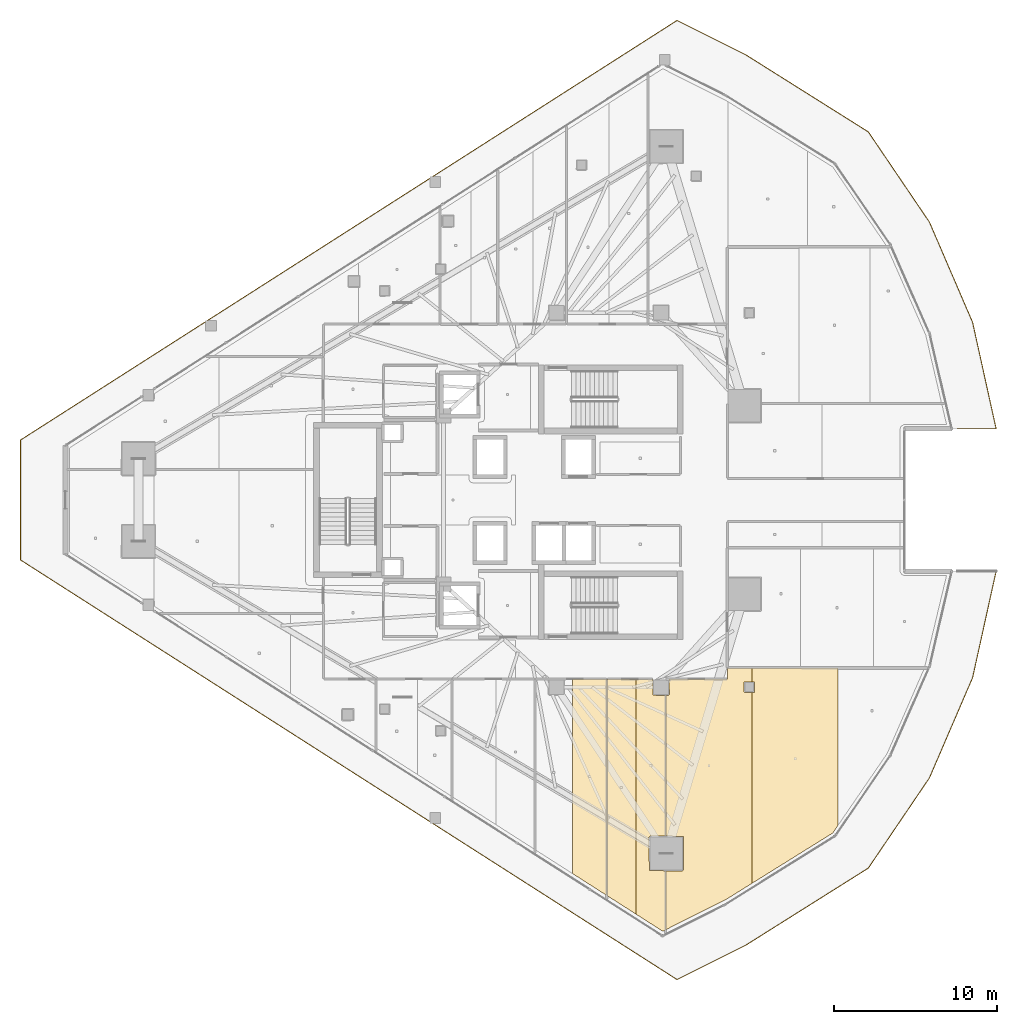
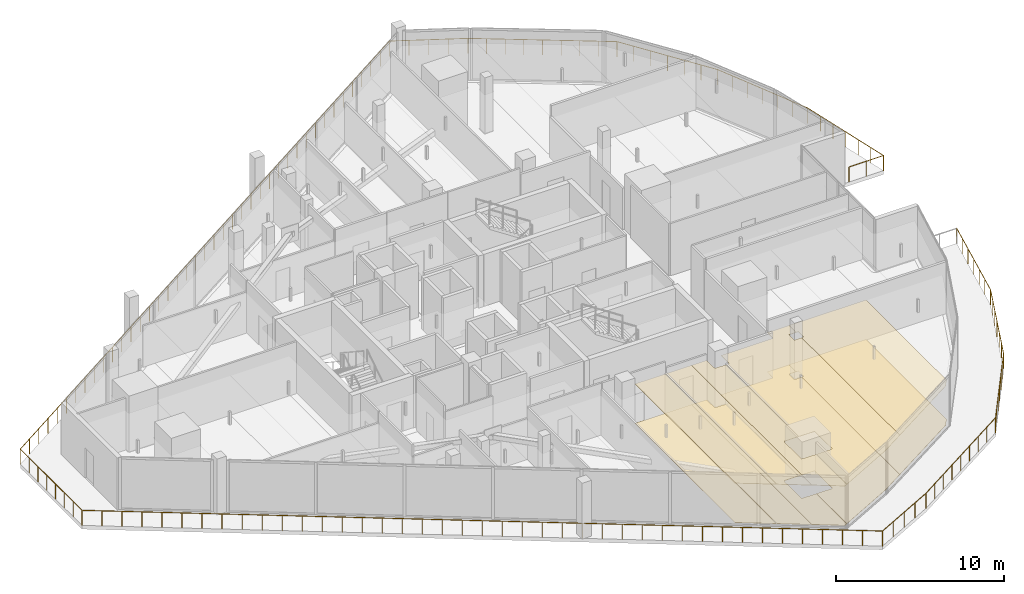
# One storey, part 39 of 43: 10 coverings, 1 railing.
"""IFC4 building model written with IfcOpenShell, lengths in metres."""

from ifc_helpers import new_model, si_unit, direction, frame, origin, origin_2d, place, context, subcontext, project, spatial, polyline, circle, outline, extrude, material, layer, layer_set, type_object, element, save


model = new_model("IFC4")

# Units and contexts
model_context = context("Model", 3, precision=1e-05, world=origin(), true_north=direction((0.0, 1.0)))
body_context = subcontext(model_context, "Body", "Model", "MODEL_VIEW")
ifc_project = project(units=[si_unit("LENGTHUNIT", "METRE"), si_unit("AREAUNIT", "SQUARE_METRE"), si_unit("VOLUMEUNIT", "CUBIC_METRE"), si_unit("PLANEANGLEUNIT", "RADIAN"), si_unit("MASSUNIT", "GRAM", prefix="KILO")], contexts=[model_context])

# Site, building, storey
site_placement = place(None, origin())
site = spatial("IfcSite", under=ifc_project, at=site_placement, CompositionType="ELEMENT")
building_placement = place(site_placement, origin())
building = spatial("IfcBuilding", under=site, at=building_placement, Name="Qorvath Tower", CompositionType="ELEMENT")
storey_placement = place(building_placement, frame((0.0, 0.0, 213.14990234375)))
storey = spatial("IfcBuildingStorey", under=building, at=storey_placement, Name="L49", CompositionType="ELEMENT", Elevation=213.14990234375)

# Coverings
ifc_material_1 = material(Name="Acoustic mineral fibre ceiling tile", Category="gypsum")
ifc_layer_1 = layer(ifc_material_1, 0.030029296875)
ifc_layer_set_1 = layer_set([ifc_layer_1], Name="COV-CEIL")
covering_type_1 = type_object("IfcCoveringType", Name="COV-CEIL", PredefinedType="CEILING", material=ifc_layer_set_1)
covering_1_placement = place(storey_placement, frame((0.0, 0.0, 2.85009765625)))
element("IfcCovering", 1, at=covering_1_placement, inside=storey, type_object=covering_type_1, Name="L49 Suspended Acoustic Ceiling 028", PredefinedType="CEILING", context=body_context, shape_type="SweptSolid", body=[
    extrude(outline(polyline([(-22.609375, -10.962890625), (-22.609375, -22.8603515625), (-20.524169921875, -24.193115234375), (-20.524169921875, -10.962890625), (-22.609375, -10.962890625)])), origin(), (0.0, 0.0, 1.0), 0.030029296875),
])
covering_2_placement = place(storey_placement, frame((0.0, 0.0, 2.85009765625)))
element("IfcCovering", 2, at=covering_2_placement, inside=storey, type_object=covering_type_1, Name="L49 Suspended Acoustic Ceiling 029", PredefinedType="CEILING", context=body_context, shape_type="SweptSolid", body=[
    extrude(outline(polyline([(-18.7431640625, -25.331298828125), (-18.7431640625, -10.968994140625), (-20.506103515625, -10.963134765625), (-20.506103515625, -24.20458984375), (-18.7431640625, -25.331298828125)])), origin(), (0.0, 0.0, 1.0), 0.030029296875),
])
covering_3_placement = place(storey_placement, frame((0.0, 0.0, 2.85009765625)))
element("IfcCovering", 3, at=covering_3_placement, inside=storey, type_object=covering_type_1, Name="L49 Suspended Acoustic Ceiling 030", PredefinedType="CEILING", context=body_context, shape_type="SweptSolid", body=[
    extrude(outline(polyline([(-17.87158203125, -20.567138671875), (-16.923583984375, -20.567138671875), (-16.923583984375, -11.9599609375), (-17.6923828125, -11.9423828125), (-17.698486328125, -10.972412109375), (-18.7431640625, -10.968994140625), (-18.7431640625, -25.331298828125), (-17.09130859375, -26.38720703125), (-16.923583984375, -26.303466796875), (-16.923583984375, -22.68701171875), (-17.9140625, -22.66943359375), (-17.931640625, -20.627197265625), (-17.87158203125, -20.567138671875)])), origin(), (0.0, 0.0, 1.0), 0.030029296875),
])
covering_4_placement = place(storey_placement, frame((0.0, 0.0, 2.85009765625)))
element("IfcCovering", 4, at=covering_4_placement, inside=storey, type_object=covering_type_1, Name="L49 Suspended Acoustic Ceiling 031", PredefinedType="CEILING", context=body_context, shape_type="SweptSolid", body=[
    extrude(outline(polyline([(-16.90576171875, -22.68701171875), (-16.90576171875, -26.29443359375), (-13.15673828125, -24.404296875), (-11.630859375, -23.454345703125), (-11.630859375, -11.771728515625), (-12.074951171875, -11.784912109375), (-12.135009765625, -11.72509765625), (-12.117431640625, -11.132568359375), (-11.630859375, -11.132568359375), (-11.630859375, -10.27978515625), (-13.136962890625, -10.279296875), (-13.14208984375, -10.962890625), (-16.705322265625, -10.962890625), (-16.68994140625, -11.89990234375), (-16.75, -11.9599609375), (-16.90576171875, -11.9599609375), (-16.90576171875, -20.567138671875), (-15.829345703125, -20.584716796875), (-15.811767578125, -22.627197265625), (-15.87158203125, -22.68701171875), (-16.90576171875, -22.68701171875)])), origin(), (0.0, 0.0, 1.0), 0.030029296875),
])
covering_5_placement = place(storey_placement, frame((0.0, 0.0, 2.85009765625)))
element("IfcCovering", 5, at=covering_5_placement, inside=storey, type_object=covering_type_1, Name="L49 Suspended Acoustic Ceiling 032", PredefinedType="CEILING", context=body_context, shape_type="SweptSolid", body=[
    extrude(outline(polyline([(-11.630859375, -10.27978515625), (-11.630859375, -11.132568359375), (-11.482666015625, -11.132568359375), (-11.482666015625, -11.767333984375), (-11.630859375, -11.771728515625), (-11.630859375, -23.454345703125), (-6.695068359375, -20.381103515625), (-6.35595703125, -19.885498046875), (-6.35595703125, -10.28173828125), (-11.630859375, -10.27978515625)])), origin(), (0.0, 0.0, 1.0), 0.030029296875),
])
ifc_material_2 = material(Name="Low-VOC modular carpet tile", Category="textile")
ifc_layer_2 = layer(ifc_material_2, 0.014892578125)
ifc_layer_set_2 = layer_set([ifc_layer_2], Name="COV-FLOOR-CPT")
covering_type_2 = type_object("IfcCoveringType", Name="COV-FLOOR-CPT", PredefinedType="FLOORING", material=ifc_layer_set_2)
covering_6_placement = place(storey_placement, origin())
element("IfcCovering", 6, at=covering_6_placement, inside=storey, type_object=covering_type_2, Name="L49 Floor Finish 028", PredefinedType="FLOORING", context=body_context, shape_type="SweptSolid", body=[
    extrude(outline(polyline([(-22.609375, -10.962890625), (-22.609375, -22.8603515625), (-20.524169921875, -24.193115234375), (-20.524169921875, -10.962890625), (-22.609375, -10.962890625)])), origin(), (0.0, 0.0, 1.0), 0.01513671875),
])
covering_7_placement = place(storey_placement, origin())
element("IfcCovering", 7, at=covering_7_placement, inside=storey, type_object=covering_type_2, Name="L49 Floor Finish 029", PredefinedType="FLOORING", context=body_context, shape_type="SweptSolid", body=[
    extrude(outline(polyline([(-18.7431640625, -25.331298828125), (-18.7431640625, -10.968994140625), (-20.506103515625, -10.963134765625), (-20.506103515625, -24.20458984375), (-18.7431640625, -25.331298828125)])), origin(), (0.0, 0.0, 1.0), 0.01513671875),
])
covering_8_placement = place(storey_placement, origin())
element("IfcCovering", 8, at=covering_8_placement, inside=storey, type_object=covering_type_2, Name="L49 Floor Finish 030", PredefinedType="FLOORING", context=body_context, shape_type="SweptSolid", body=[
    extrude(outline(polyline([(-17.87158203125, -20.567138671875), (-16.923583984375, -20.567138671875), (-16.923583984375, -11.9599609375), (-17.6923828125, -11.9423828125), (-17.698486328125, -10.972412109375), (-18.7431640625, -10.968994140625), (-18.7431640625, -25.331298828125), (-17.09130859375, -26.38720703125), (-16.923583984375, -26.303466796875), (-16.923583984375, -22.68701171875), (-17.9140625, -22.66943359375), (-17.931640625, -20.627197265625), (-17.87158203125, -20.567138671875)])), origin(), (0.0, 0.0, 1.0), 0.01513671875),
])
covering_9_placement = place(storey_placement, origin())
element("IfcCovering", 9, at=covering_9_placement, inside=storey, type_object=covering_type_2, Name="L49 Floor Finish 031", PredefinedType="FLOORING", context=body_context, shape_type="SweptSolid", body=[
    extrude(outline(polyline([(-16.90576171875, -22.68701171875), (-16.90576171875, -26.29443359375), (-13.15673828125, -24.404296875), (-11.630859375, -23.454345703125), (-11.630859375, -11.771728515625), (-12.074951171875, -11.784912109375), (-12.135009765625, -11.72509765625), (-12.117431640625, -11.132568359375), (-11.630859375, -11.132568359375), (-11.630859375, -10.27978515625), (-13.136962890625, -10.279296875), (-13.14208984375, -10.962890625), (-16.705322265625, -10.962890625), (-16.68994140625, -11.89990234375), (-16.75, -11.9599609375), (-16.90576171875, -11.9599609375), (-16.90576171875, -20.567138671875), (-15.829345703125, -20.584716796875), (-15.811767578125, -22.627197265625), (-15.87158203125, -22.68701171875), (-16.90576171875, -22.68701171875)])), origin(), (0.0, 0.0, 1.0), 0.01513671875),
])
covering_10_placement = place(storey_placement, origin())
element("IfcCovering", 10, at=covering_10_placement, inside=storey, type_object=covering_type_2, Name="L49 Floor Finish 032", PredefinedType="FLOORING", context=body_context, shape_type="SweptSolid", body=[
    extrude(outline(polyline([(-11.630859375, -10.27978515625), (-11.630859375, -11.132568359375), (-11.482666015625, -11.132568359375), (-11.482666015625, -11.767333984375), (-11.630859375, -11.771728515625), (-11.630859375, -23.454345703125), (-6.695068359375, -20.381103515625), (-6.35595703125, -19.885498046875), (-6.35595703125, -10.28173828125), (-11.630859375, -10.27978515625)])), origin(), (0.0, 0.0, 1.0), 0.01513671875),
])

# Railing
ifc_material_3 = material(Name="Laminated safety glass and stainless steel AISI 316", Category="steel")
railing_type = type_object("IfcRailingType", Name="RL-EXT-GRD", PredefinedType="GUARDRAIL", material=ifc_material_3)
railing_placement = place(storey_placement, frame((3.310791015625, -4.35791015625, 0.0)))
element("IfcRailing", 11, at=railing_placement, inside=storey, type_object=railing_type, Name="Loggia Perimeter Guardrail L49-1.1", PredefinedType="GUARDRAIL", context=body_context, shape_type="SweptSolid", body=[
    extrude(circle(Radius=0.02392578125, at=origin_2d()), frame((0.0, 0.0, 1.09619140625), z_axis=(-0.216078131765, -0.976376075584, 0.0), x_axis=(0.976376075584, -0.216078131765, 0.0)), (0.0, 0.0, 1.0), 6.673095703125),
    extrude(circle(Radius=0.02392578125, at=origin_2d()), frame((-1.44189453125, -6.515380859375, 1.09619140625), z_axis=(-0.395486213143, -0.918471913133, 0.0), x_axis=(0.918471913133, -0.395486213143, 0.0)), (0.0, 0.0, 1.0), 6.673095703125),
    extrude(circle(Radius=0.02392578125, at=origin_2d()), frame((-4.0810546875, -12.64453125, 1.09619140625), z_axis=(-0.560823067229, -0.827935678217, 0.0), x_axis=(0.827935678217, -0.560823067229, 0.0)), (0.0, 0.0, 1.0), 6.673095703125),
    extrude(circle(Radius=0.02392578125, at=origin_2d()), frame((-7.823486328125, -18.16943359375, 1.09619140625), z_axis=(-0.846494149319, -0.532398023258, 0.0), x_axis=(0.532398023258, -0.846494149319, 0.0)), (0.0, 0.0, 1.0), 8.874267578125),
    extrude(circle(Radius=0.02392578125, at=origin_2d()), frame((-15.33544921875, -22.89404296875, 1.09619140625), z_axis=(-0.894437607547, -0.4471927618, 0.0), x_axis=(0.4471927618, -0.894437607547, 0.0)), (0.0, 0.0, 1.0), 4.6875),
    extrude(circle(Radius=0.02392578125, at=origin_2d()), frame((-19.528076171875, -24.990234375, 1.09619140625), z_axis=(-0.84260449313, 0.538532884936, 0.0), x_axis=(-0.538532884936, -0.84260449313, 0.0)), (0.0, 0.0, 1.0), 47.6845703125),
    extrude(circle(Radius=0.02392578125, at=origin_2d()), frame((-59.707275390625, 0.689453125, 1.09619140625), z_axis=(0.0, 1.0, 0.0), x_axis=(-1.0, 0.0, 0.0)), (0.0, 0.0, 1.0), 7.3369140625),
    extrude(circle(Radius=0.02392578125, at=origin_2d()), frame((-59.707275390625, 8.0263671875, 1.09619140625), z_axis=(0.84260449313, 0.538532884936, 0.0), x_axis=(-0.538532884936, 0.84260449313, 0.0)), (0.0, 0.0, 1.0), 47.6845703125),
    extrude(circle(Radius=0.02392578125, at=origin_2d()), frame((-19.528076171875, 33.7060546875, 1.09619140625), z_axis=(0.894437607547, -0.4471927618, 0.0), x_axis=(0.4471927618, 0.894437607547, 0.0)), (0.0, 0.0, 1.0), 4.6875),
    extrude(circle(Radius=0.02392578125, at=origin_2d()), frame((-15.33544921875, 31.60986328125, 1.09619140625), z_axis=(0.846494149319, -0.532398023258, 0.0), x_axis=(0.532398023258, 0.846494149319, 0.0)), (0.0, 0.0, 1.0), 8.874267578125),
    extrude(circle(Radius=0.02392578125, at=origin_2d()), frame((-7.823486328125, 26.88525390625, 1.09619140625), z_axis=(0.560823067229, -0.827935678217, 0.0), x_axis=(0.827935678217, 0.560823067229, 0.0)), (0.0, 0.0, 1.0), 6.673095703125),
    extrude(circle(Radius=0.02392578125, at=origin_2d()), frame((-4.0810546875, 21.3603515625, 1.09619140625), z_axis=(0.395486213143, -0.918471913133, 0.0), x_axis=(0.918471913133, 0.395486213143, 0.0)), (0.0, 0.0, 1.0), 6.673095703125),
    extrude(circle(Radius=0.02392578125, at=origin_2d()), frame((-1.44189453125, 15.231201171875, 1.09619140625), z_axis=(0.216078131765, -0.976376075584, 0.0), x_axis=(0.976376075584, 0.216078131765, 0.0)), (0.0, 0.0, 1.0), 6.673095703125),
    extrude(circle(Radius=0.02392578125, at=origin_2d()), frame((0.0, 8.7158203125, 1.09619140625), z_axis=(-1.0, 0.0, 0.0), x_axis=(0.0, -1.0, 0.0)), (0.0, 0.0, 1.0), 2.366943359375),
    extrude(circle(Radius=0.02099609375, at=origin_2d()), origin(), (0.0, 0.0, 1.0), 1.072021484375),
    extrude(circle(Radius=0.02099609375, at=origin_2d()), frame((-0.240234375, -1.0859375, 0.0)), (0.0, 0.0, 1.0), 1.072021484375),
    extrude(circle(Radius=0.02099609375, at=origin_2d()), frame((-0.480712890625, -2.171875, 0.0)), (0.0, 0.0, 1.0), 1.072021484375),
    extrude(circle(Radius=0.02099609375, at=origin_2d()), frame((-0.720947265625, -3.2578125, 0.0)), (0.0, 0.0, 1.0), 1.072021484375),
    extrude(circle(Radius=0.02099609375, at=origin_2d()), frame((-0.961181640625, -4.343505859375, 0.0)), (0.0, 0.0, 1.0), 1.072021484375),
    extrude(circle(Radius=0.02099609375, at=origin_2d()), frame((-1.20166015625, -5.429443359375, 0.0)), (0.0, 0.0, 1.0), 1.072021484375),
    extrude(circle(Radius=0.02099609375, at=origin_2d()), frame((-1.44189453125, -6.515380859375, 0.0)), (0.0, 0.0, 1.0), 1.072021484375),
    extrude(circle(Radius=0.02099609375, at=origin_2d()), frame((-1.8818359375, -7.536865234375, 0.0)), (0.0, 0.0, 1.0), 1.072021484375),
    extrude(circle(Radius=0.02099609375, at=origin_2d()), frame((-2.321533203125, -8.558349609375, 0.0)), (0.0, 0.0, 1.0), 1.072021484375),
    extrude(circle(Radius=0.02099609375, at=origin_2d()), frame((-2.761474609375, -9.580078125, 0.0)), (0.0, 0.0, 1.0), 1.072021484375),
    extrude(circle(Radius=0.02099609375, at=origin_2d()), frame((-3.201416015625, -10.6015625, 0.0)), (0.0, 0.0, 1.0), 1.072021484375),
    extrude(circle(Radius=0.02099609375, at=origin_2d()), frame((-3.64111328125, -11.623046875, 0.0)), (0.0, 0.0, 1.0), 1.072021484375),
    extrude(circle(Radius=0.02099609375, at=origin_2d()), frame((-4.0810546875, -12.64453125, 0.0)), (0.0, 0.0, 1.0), 1.072021484375),
    extrude(circle(Radius=0.02099609375, at=origin_2d()), frame((-4.704833984375, -13.5654296875, 0.0)), (0.0, 0.0, 1.0), 1.072021484375),
    extrude(circle(Radius=0.02099609375, at=origin_2d()), frame((-5.32861328125, -14.486083984375, 0.0)), (0.0, 0.0, 1.0), 1.072021484375),
    extrude(circle(Radius=0.02099609375, at=origin_2d()), frame((-5.9521484375, -15.406982421875, 0.0)), (0.0, 0.0, 1.0), 1.072021484375),
    extrude(circle(Radius=0.02099609375, at=origin_2d()), frame((-6.575927734375, -16.327880859375, 0.0)), (0.0, 0.0, 1.0), 1.072021484375),
    extrude(circle(Radius=0.02099609375, at=origin_2d()), frame((-7.19970703125, -17.24853515625, 0.0)), (0.0, 0.0, 1.0), 1.072021484375),
    extrude(circle(Radius=0.02099609375, at=origin_2d()), frame((-7.823486328125, -18.16943359375, 0.0)), (0.0, 0.0, 1.0), 1.072021484375),
    extrude(circle(Radius=0.02099609375, at=origin_2d()), frame((-8.762451171875, -18.760009765625, 0.0)), (0.0, 0.0, 1.0), 1.072021484375),
    extrude(circle(Radius=0.02099609375, at=origin_2d()), frame((-9.701416015625, -19.3505859375, 0.0)), (0.0, 0.0, 1.0), 1.072021484375),
    extrude(circle(Radius=0.02099609375, at=origin_2d()), frame((-10.640380859375, -19.941162109375, 0.0)), (0.0, 0.0, 1.0), 1.072021484375),
    extrude(circle(Radius=0.02099609375, at=origin_2d()), frame((-11.57958984375, -20.53173828125, 0.0)), (0.0, 0.0, 1.0), 1.072021484375),
    extrude(circle(Radius=0.02099609375, at=origin_2d()), frame((-12.5185546875, -21.122314453125, 0.0)), (0.0, 0.0, 1.0), 1.072021484375),
    extrude(circle(Radius=0.02099609375, at=origin_2d()), frame((-13.45751953125, -21.712890625, 0.0)), (0.0, 0.0, 1.0), 1.072021484375),
    extrude(circle(Radius=0.02099609375, at=origin_2d()), frame((-14.396484375, -22.303466796875, 0.0)), (0.0, 0.0, 1.0), 1.072021484375),
    extrude(circle(Radius=0.02099609375, at=origin_2d()), frame((-15.33544921875, -22.89404296875, 0.0)), (0.0, 0.0, 1.0), 1.072021484375),
    extrude(circle(Radius=0.02099609375, at=origin_2d()), frame((-16.383544921875, -23.41796875, 0.0)), (0.0, 0.0, 1.0), 1.072021484375),
    extrude(circle(Radius=0.02099609375, at=origin_2d()), frame((-17.431640625, -23.942138671875, 0.0)), (0.0, 0.0, 1.0), 1.072021484375),
    extrude(circle(Radius=0.02099609375, at=origin_2d()), frame((-18.47998046875, -24.46630859375, 0.0)), (0.0, 0.0, 1.0), 1.072021484375),
    extrude(circle(Radius=0.02099609375, at=origin_2d()), frame((-19.528076171875, -24.990234375, 0.0)), (0.0, 0.0, 1.0), 1.072021484375),
    extrude(circle(Radius=0.02099609375, at=origin_2d()), frame((-20.532470703125, -24.34814453125, 0.0)), (0.0, 0.0, 1.0), 1.072021484375),
    extrude(circle(Radius=0.02099609375, at=origin_2d()), frame((-21.537109375, -23.706298828125, 0.0)), (0.0, 0.0, 1.0), 1.072021484375),
    extrude(circle(Radius=0.02099609375, at=origin_2d()), frame((-22.54150390625, -23.064208984375, 0.0)), (0.0, 0.0, 1.0), 1.072021484375),
    extrude(circle(Radius=0.02099609375, at=origin_2d()), frame((-23.5458984375, -22.42236328125, 0.0)), (0.0, 0.0, 1.0), 1.072021484375),
    extrude(circle(Radius=0.02099609375, at=origin_2d()), frame((-24.550537109375, -21.7802734375, 0.0)), (0.0, 0.0, 1.0), 1.072021484375),
    extrude(circle(Radius=0.02099609375, at=origin_2d()), frame((-25.554931640625, -21.13818359375, 0.0)), (0.0, 0.0, 1.0), 1.072021484375),
    extrude(circle(Radius=0.02099609375, at=origin_2d()), frame((-26.559326171875, -20.496337890625, 0.0)), (0.0, 0.0, 1.0), 1.072021484375),
    extrude(circle(Radius=0.02099609375, at=origin_2d()), frame((-27.56396484375, -19.854248046875, 0.0)), (0.0, 0.0, 1.0), 1.072021484375),
    extrude(circle(Radius=0.02099609375, at=origin_2d()), frame((-28.568359375, -19.21240234375, 0.0)), (0.0, 0.0, 1.0), 1.072021484375),
    extrude(circle(Radius=0.02099609375, at=origin_2d()), frame((-29.57275390625, -18.5703125, 0.0)), (0.0, 0.0, 1.0), 1.072021484375),
    extrude(circle(Radius=0.02099609375, at=origin_2d()), frame((-30.577392578125, -17.92822265625, 0.0)), (0.0, 0.0, 1.0), 1.072021484375),
    extrude(circle(Radius=0.02099609375, at=origin_2d()), frame((-31.581787109375, -17.286376953125, 0.0)), (0.0, 0.0, 1.0), 1.072021484375),
    extrude(circle(Radius=0.02099609375, at=origin_2d()), frame((-32.58642578125, -16.644287109375, 0.0)), (0.0, 0.0, 1.0), 1.072021484375),
    extrude(circle(Radius=0.02099609375, at=origin_2d()), frame((-33.5908203125, -16.00244140625, 0.0)), (0.0, 0.0, 1.0), 1.072021484375),
    extrude(circle(Radius=0.02099609375, at=origin_2d()), frame((-34.59521484375, -15.3603515625, 0.0)), (0.0, 0.0, 1.0), 1.072021484375),
    extrude(circle(Radius=0.02099609375, at=origin_2d()), frame((-35.599853515625, -14.71826171875, 0.0)), (0.0, 0.0, 1.0), 1.072021484375),
    extrude(circle(Radius=0.02099609375, at=origin_2d()), frame((-36.604248046875, -14.076416015625, 0.0)), (0.0, 0.0, 1.0), 1.072021484375),
    extrude(circle(Radius=0.02099609375, at=origin_2d()), frame((-37.608642578125, -13.434326171875, 0.0)), (0.0, 0.0, 1.0), 1.072021484375),
    extrude(circle(Radius=0.02099609375, at=origin_2d()), frame((-38.61328125, -12.79248046875, 0.0)), (0.0, 0.0, 1.0), 1.072021484375),
    extrude(circle(Radius=0.02099609375, at=origin_2d()), frame((-39.61767578125, -12.150390625, 0.0)), (0.0, 0.0, 1.0), 1.072021484375),
    extrude(circle(Radius=0.02099609375, at=origin_2d()), frame((-40.6220703125, -11.50830078125, 0.0)), (0.0, 0.0, 1.0), 1.072021484375),
    extrude(circle(Radius=0.02099609375, at=origin_2d()), frame((-41.626708984375, -10.866455078125, 0.0)), (0.0, 0.0, 1.0), 1.072021484375),
    extrude(circle(Radius=0.02099609375, at=origin_2d()), frame((-42.631103515625, -10.224365234375, 0.0)), (0.0, 0.0, 1.0), 1.072021484375),
    extrude(circle(Radius=0.02099609375, at=origin_2d()), frame((-43.635498046875, -9.58251953125, 0.0)), (0.0, 0.0, 1.0), 1.072021484375),
    extrude(circle(Radius=0.02099609375, at=origin_2d()), frame((-44.64013671875, -8.9404296875, 0.0)), (0.0, 0.0, 1.0), 1.072021484375),
    extrude(circle(Radius=0.02099609375, at=origin_2d()), frame((-45.64453125, -8.29833984375, 0.0)), (0.0, 0.0, 1.0), 1.072021484375),
    extrude(circle(Radius=0.02099609375, at=origin_2d()), frame((-46.64892578125, -7.656494140625, 0.0)), (0.0, 0.0, 1.0), 1.072021484375),
    extrude(circle(Radius=0.02099609375, at=origin_2d()), frame((-47.653564453125, -7.014404296875, 0.0)), (0.0, 0.0, 1.0), 1.072021484375),
    extrude(circle(Radius=0.02099609375, at=origin_2d()), frame((-48.657958984375, -6.37255859375, 0.0)), (0.0, 0.0, 1.0), 1.072021484375),
    extrude(circle(Radius=0.02099609375, at=origin_2d()), frame((-49.66259765625, -5.73046875, 0.0)), (0.0, 0.0, 1.0), 1.072021484375),
    extrude(circle(Radius=0.02099609375, at=origin_2d()), frame((-50.6669921875, -5.08837890625, 0.0)), (0.0, 0.0, 1.0), 1.072021484375),
    extrude(circle(Radius=0.02099609375, at=origin_2d()), frame((-51.67138671875, -4.446533203125, 0.0)), (0.0, 0.0, 1.0), 1.072021484375),
    extrude(circle(Radius=0.02099609375, at=origin_2d()), frame((-52.676025390625, -3.804443359375, 0.0)), (0.0, 0.0, 1.0), 1.072021484375),
    extrude(circle(Radius=0.02099609375, at=origin_2d()), frame((-53.680419921875, -3.16259765625, 0.0)), (0.0, 0.0, 1.0), 1.072021484375),
    extrude(circle(Radius=0.02099609375, at=origin_2d()), frame((-54.684814453125, -2.5205078125, 0.0)), (0.0, 0.0, 1.0), 1.072021484375),
    extrude(circle(Radius=0.02099609375, at=origin_2d()), frame((-55.689453125, -1.87841796875, 0.0)), (0.0, 0.0, 1.0), 1.072021484375),
    extrude(circle(Radius=0.02099609375, at=origin_2d()), frame((-56.69384765625, -1.236572265625, 0.0)), (0.0, 0.0, 1.0), 1.072021484375),
    extrude(circle(Radius=0.02099609375, at=origin_2d()), frame((-57.6982421875, -0.594482421875, 0.0)), (0.0, 0.0, 1.0), 1.072021484375),
    extrude(circle(Radius=0.02099609375, at=origin_2d()), frame((-58.702880859375, 0.04736328125, 0.0)), (0.0, 0.0, 1.0), 1.072021484375),
    extrude(circle(Radius=0.02099609375, at=origin_2d()), frame((-59.707275390625, 0.689453125, 0.0)), (0.0, 0.0, 1.0), 1.072021484375),
    extrude(circle(Radius=0.02099609375, at=origin_2d()), frame((-59.707275390625, 1.737548828125, 0.0)), (0.0, 0.0, 1.0), 1.072021484375),
    extrude(circle(Radius=0.02099609375, at=origin_2d()), frame((-59.707275390625, 2.78564453125, 0.0)), (0.0, 0.0, 1.0), 1.072021484375),
    extrude(circle(Radius=0.02099609375, at=origin_2d()), frame((-59.707275390625, 3.833740234375, 0.0)), (0.0, 0.0, 1.0), 1.072021484375),
    extrude(circle(Radius=0.02099609375, at=origin_2d()), frame((-59.707275390625, 4.882080078125, 0.0)), (0.0, 0.0, 1.0), 1.072021484375),
    extrude(circle(Radius=0.02099609375, at=origin_2d()), frame((-59.707275390625, 5.93017578125, 0.0)), (0.0, 0.0, 1.0), 1.072021484375),
    extrude(circle(Radius=0.02099609375, at=origin_2d()), frame((-59.707275390625, 6.978271484375, 0.0)), (0.0, 0.0, 1.0), 1.072021484375),
    extrude(circle(Radius=0.02099609375, at=origin_2d()), frame((-59.707275390625, 8.0263671875, 0.0)), (0.0, 0.0, 1.0), 1.072021484375),
    extrude(circle(Radius=0.02099609375, at=origin_2d()), frame((-58.702880859375, 8.66845703125, 0.0)), (0.0, 0.0, 1.0), 1.072021484375),
    extrude(circle(Radius=0.02099609375, at=origin_2d()), frame((-57.6982421875, 9.310302734375, 0.0)), (0.0, 0.0, 1.0), 1.072021484375),
    extrude(circle(Radius=0.02099609375, at=origin_2d()), frame((-56.69384765625, 9.952392578125, 0.0)), (0.0, 0.0, 1.0), 1.072021484375),
    extrude(circle(Radius=0.02099609375, at=origin_2d()), frame((-55.689453125, 10.59423828125, 0.0)), (0.0, 0.0, 1.0), 1.072021484375),
    extrude(circle(Radius=0.02099609375, at=origin_2d()), frame((-54.684814453125, 11.236328125, 0.0)), (0.0, 0.0, 1.0), 1.072021484375),
    extrude(circle(Radius=0.02099609375, at=origin_2d()), frame((-53.680419921875, 11.87841796875, 0.0)), (0.0, 0.0, 1.0), 1.072021484375),
    extrude(circle(Radius=0.02099609375, at=origin_2d()), frame((-52.676025390625, 12.520263671875, 0.0)), (0.0, 0.0, 1.0), 1.072021484375),
    extrude(circle(Radius=0.02099609375, at=origin_2d()), frame((-51.67138671875, 13.162353515625, 0.0)), (0.0, 0.0, 1.0), 1.072021484375),
    extrude(circle(Radius=0.02099609375, at=origin_2d()), frame((-50.6669921875, 13.80419921875, 0.0)), (0.0, 0.0, 1.0), 1.072021484375),
    extrude(circle(Radius=0.02099609375, at=origin_2d()), frame((-49.66259765625, 14.4462890625, 0.0)), (0.0, 0.0, 1.0), 1.072021484375),
    extrude(circle(Radius=0.02099609375, at=origin_2d()), frame((-48.657958984375, 15.08837890625, 0.0)), (0.0, 0.0, 1.0), 1.072021484375),
    extrude(circle(Radius=0.02099609375, at=origin_2d()), frame((-47.653564453125, 15.730224609375, 0.0)), (0.0, 0.0, 1.0), 1.072021484375),
    extrude(circle(Radius=0.02099609375, at=origin_2d()), frame((-46.64892578125, 16.372314453125, 0.0)), (0.0, 0.0, 1.0), 1.072021484375),
    extrude(circle(Radius=0.02099609375, at=origin_2d()), frame((-45.64453125, 17.01416015625, 0.0)), (0.0, 0.0, 1.0), 1.072021484375),
    extrude(circle(Radius=0.02099609375, at=origin_2d()), frame((-44.64013671875, 17.65625, 0.0)), (0.0, 0.0, 1.0), 1.072021484375),
    extrude(circle(Radius=0.02099609375, at=origin_2d()), frame((-43.635498046875, 18.29833984375, 0.0)), (0.0, 0.0, 1.0), 1.072021484375),
    extrude(circle(Radius=0.02099609375, at=origin_2d()), frame((-42.631103515625, 18.940185546875, 0.0)), (0.0, 0.0, 1.0), 1.072021484375),
    extrude(circle(Radius=0.02099609375, at=origin_2d()), frame((-41.626708984375, 19.582275390625, 0.0)), (0.0, 0.0, 1.0), 1.072021484375),
    extrude(circle(Radius=0.02099609375, at=origin_2d()), frame((-40.6220703125, 20.22412109375, 0.0)), (0.0, 0.0, 1.0), 1.072021484375),
    extrude(circle(Radius=0.02099609375, at=origin_2d()), frame((-39.61767578125, 20.8662109375, 0.0)), (0.0, 0.0, 1.0), 1.072021484375),
    extrude(circle(Radius=0.02099609375, at=origin_2d()), frame((-38.61328125, 21.50830078125, 0.0)), (0.0, 0.0, 1.0), 1.072021484375),
    extrude(circle(Radius=0.02099609375, at=origin_2d()), frame((-37.608642578125, 22.150146484375, 0.0)), (0.0, 0.0, 1.0), 1.072021484375),
    extrude(circle(Radius=0.02099609375, at=origin_2d()), frame((-36.604248046875, 22.792236328125, 0.0)), (0.0, 0.0, 1.0), 1.072021484375),
    extrude(circle(Radius=0.02099609375, at=origin_2d()), frame((-35.599853515625, 23.43408203125, 0.0)), (0.0, 0.0, 1.0), 1.072021484375),
    extrude(circle(Radius=0.02099609375, at=origin_2d()), frame((-34.59521484375, 24.076171875, 0.0)), (0.0, 0.0, 1.0), 1.072021484375),
    extrude(circle(Radius=0.02099609375, at=origin_2d()), frame((-33.5908203125, 24.71826171875, 0.0)), (0.0, 0.0, 1.0), 1.072021484375),
    extrude(circle(Radius=0.02099609375, at=origin_2d()), frame((-32.58642578125, 25.360107421875, 0.0)), (0.0, 0.0, 1.0), 1.072021484375),
    extrude(circle(Radius=0.02099609375, at=origin_2d()), frame((-31.581787109375, 26.002197265625, 0.0)), (0.0, 0.0, 1.0), 1.072021484375),
    extrude(circle(Radius=0.02099609375, at=origin_2d()), frame((-30.577392578125, 26.64404296875, 0.0)), (0.0, 0.0, 1.0), 1.072021484375),
    extrude(circle(Radius=0.02099609375, at=origin_2d()), frame((-29.57275390625, 27.2861328125, 0.0)), (0.0, 0.0, 1.0), 1.072021484375),
    extrude(circle(Radius=0.02099609375, at=origin_2d()), frame((-28.568359375, 27.92822265625, 0.0)), (0.0, 0.0, 1.0), 1.072021484375),
    extrude(circle(Radius=0.02099609375, at=origin_2d()), frame((-27.56396484375, 28.570068359375, 0.0)), (0.0, 0.0, 1.0), 1.072021484375),
    extrude(circle(Radius=0.02099609375, at=origin_2d()), frame((-26.559326171875, 29.212158203125, 0.0)), (0.0, 0.0, 1.0), 1.072021484375),
    extrude(circle(Radius=0.02099609375, at=origin_2d()), frame((-25.554931640625, 29.85400390625, 0.0)), (0.0, 0.0, 1.0), 1.072021484375),
    extrude(circle(Radius=0.02099609375, at=origin_2d()), frame((-24.550537109375, 30.49609375, 0.0)), (0.0, 0.0, 1.0), 1.072021484375),
    extrude(circle(Radius=0.02099609375, at=origin_2d()), frame((-23.5458984375, 31.13818359375, 0.0)), (0.0, 0.0, 1.0), 1.072021484375),
    extrude(circle(Radius=0.02099609375, at=origin_2d()), frame((-22.54150390625, 31.780029296875, 0.0)), (0.0, 0.0, 1.0), 1.072021484375),
    extrude(circle(Radius=0.02099609375, at=origin_2d()), frame((-21.537109375, 32.422119140625, 0.0)), (0.0, 0.0, 1.0), 1.072021484375),
    extrude(circle(Radius=0.02099609375, at=origin_2d()), frame((-20.532470703125, 33.06396484375, 0.0)), (0.0, 0.0, 1.0), 1.072021484375),
    extrude(circle(Radius=0.02099609375, at=origin_2d()), frame((-19.528076171875, 33.7060546875, 0.0)), (0.0, 0.0, 1.0), 1.072021484375),
    extrude(circle(Radius=0.02099609375, at=origin_2d()), frame((-18.47998046875, 33.18212890625, 0.0)), (0.0, 0.0, 1.0), 1.072021484375),
    extrude(circle(Radius=0.02099609375, at=origin_2d()), frame((-17.431640625, 32.657958984375, 0.0)), (0.0, 0.0, 1.0), 1.072021484375),
    extrude(circle(Radius=0.02099609375, at=origin_2d()), frame((-16.383544921875, 32.1337890625, 0.0)), (0.0, 0.0, 1.0), 1.072021484375),
    extrude(circle(Radius=0.02099609375, at=origin_2d()), frame((-15.33544921875, 31.60986328125, 0.0)), (0.0, 0.0, 1.0), 1.072021484375),
    extrude(circle(Radius=0.02099609375, at=origin_2d()), frame((-14.396484375, 31.019287109375, 0.0)), (0.0, 0.0, 1.0), 1.072021484375),
    extrude(circle(Radius=0.02099609375, at=origin_2d()), frame((-13.45751953125, 30.4287109375, 0.0)), (0.0, 0.0, 1.0), 1.072021484375),
    extrude(circle(Radius=0.02099609375, at=origin_2d()), frame((-12.5185546875, 29.838134765625, 0.0)), (0.0, 0.0, 1.0), 1.072021484375),
    extrude(circle(Radius=0.02099609375, at=origin_2d()), frame((-11.57958984375, 29.24755859375, 0.0)), (0.0, 0.0, 1.0), 1.072021484375),
    extrude(circle(Radius=0.02099609375, at=origin_2d()), frame((-10.640380859375, 28.656982421875, 0.0)), (0.0, 0.0, 1.0), 1.072021484375),
    extrude(circle(Radius=0.02099609375, at=origin_2d()), frame((-9.701416015625, 28.06640625, 0.0)), (0.0, 0.0, 1.0), 1.072021484375),
    extrude(circle(Radius=0.02099609375, at=origin_2d()), frame((-8.762451171875, 27.475830078125, 0.0)), (0.0, 0.0, 1.0), 1.072021484375),
    extrude(circle(Radius=0.02099609375, at=origin_2d()), frame((-7.823486328125, 26.88525390625, 0.0)), (0.0, 0.0, 1.0), 1.072021484375),
    extrude(circle(Radius=0.02099609375, at=origin_2d()), frame((-7.19970703125, 25.96435546875, 0.0)), (0.0, 0.0, 1.0), 1.072021484375),
    extrude(circle(Radius=0.02099609375, at=origin_2d()), frame((-6.575927734375, 25.043701171875, 0.0)), (0.0, 0.0, 1.0), 1.072021484375),
    extrude(circle(Radius=0.02099609375, at=origin_2d()), frame((-5.9521484375, 24.122802734375, 0.0)), (0.0, 0.0, 1.0), 1.072021484375),
    extrude(circle(Radius=0.02099609375, at=origin_2d()), frame((-5.32861328125, 23.201904296875, 0.0)), (0.0, 0.0, 1.0), 1.072021484375),
    extrude(circle(Radius=0.02099609375, at=origin_2d()), frame((-4.704833984375, 22.28125, 0.0)), (0.0, 0.0, 1.0), 1.072021484375),
    extrude(circle(Radius=0.02099609375, at=origin_2d()), frame((-4.0810546875, 21.3603515625, 0.0)), (0.0, 0.0, 1.0), 1.072021484375),
    extrude(circle(Radius=0.02099609375, at=origin_2d()), frame((-3.64111328125, 20.3388671875, 0.0)), (0.0, 0.0, 1.0), 1.072021484375),
    extrude(circle(Radius=0.02099609375, at=origin_2d()), frame((-3.201416015625, 19.3173828125, 0.0)), (0.0, 0.0, 1.0), 1.072021484375),
    extrude(circle(Radius=0.02099609375, at=origin_2d()), frame((-2.761474609375, 18.2958984375, 0.0)), (0.0, 0.0, 1.0), 1.072021484375),
    extrude(circle(Radius=0.02099609375, at=origin_2d()), frame((-2.321533203125, 17.274169921875, 0.0)), (0.0, 0.0, 1.0), 1.072021484375),
    extrude(circle(Radius=0.02099609375, at=origin_2d()), frame((-1.8818359375, 16.252685546875, 0.0)), (0.0, 0.0, 1.0), 1.072021484375),
    extrude(circle(Radius=0.02099609375, at=origin_2d()), frame((-1.44189453125, 15.231201171875, 0.0)), (0.0, 0.0, 1.0), 1.072021484375),
    extrude(circle(Radius=0.02099609375, at=origin_2d()), frame((-1.20166015625, 14.145263671875, 0.0)), (0.0, 0.0, 1.0), 1.072021484375),
    extrude(circle(Radius=0.02099609375, at=origin_2d()), frame((-0.961181640625, 13.059326171875, 0.0)), (0.0, 0.0, 1.0), 1.072021484375),
    extrude(circle(Radius=0.02099609375, at=origin_2d()), frame((-0.720947265625, 11.9736328125, 0.0)), (0.0, 0.0, 1.0), 1.072021484375),
    extrude(circle(Radius=0.02099609375, at=origin_2d()), frame((-0.480712890625, 10.8876953125, 0.0)), (0.0, 0.0, 1.0), 1.072021484375),
    extrude(circle(Radius=0.02099609375, at=origin_2d()), frame((-0.240234375, 9.8017578125, 0.0)), (0.0, 0.0, 1.0), 1.072021484375),
    extrude(circle(Radius=0.02099609375, at=origin_2d()), frame((0.0, 8.7158203125, 0.0)), (0.0, 0.0, 1.0), 1.072021484375),
    extrude(circle(Radius=0.02099609375, at=origin_2d()), frame((-1.18359375, 8.7158203125, 0.0)), (0.0, 0.0, 1.0), 1.072021484375),
    extrude(circle(Radius=0.02099609375, at=origin_2d()), frame((-2.366943359375, 8.7158203125, 0.0)), (0.0, 0.0, 1.0), 1.072021484375),
])

save(model, "model.ifc")
